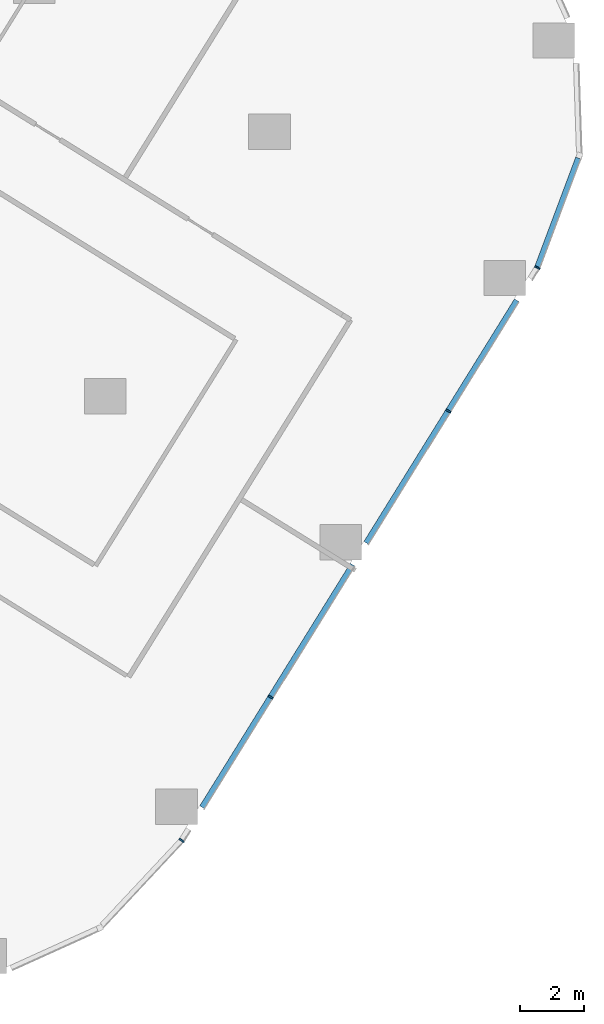
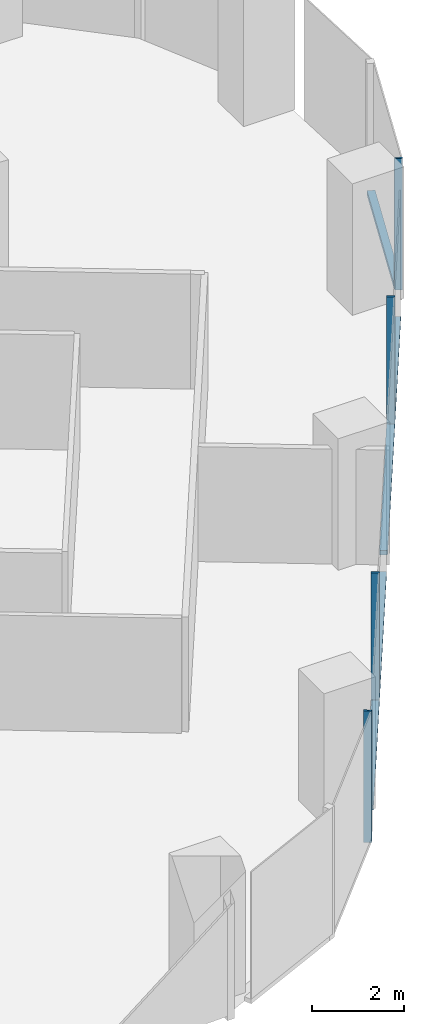
# One storey, part 9 of 34: 7 members, 3 elements without a shape of their own.
"""IFC4 building model written with IfcOpenShell, lengths in metres."""

from ifc_helpers import new_model, si_unit, direction, frame, origin, origin_2d, place, context, subcontext, project, spatial, rectangle, extrude, material, material_profile, profile_set, type_object, element, aggregate, save


model = new_model("IFC4")

# Units and contexts
model_context = context("Model", 3, precision=1e-05, world=origin(), true_north=direction((0.0, 1.0)))
body_context = subcontext(model_context, "Body", "Model", "MODEL_VIEW")
ifc_project = project(units=[si_unit("LENGTHUNIT", "METRE"), si_unit("AREAUNIT", "SQUARE_METRE"), si_unit("VOLUMEUNIT", "CUBIC_METRE"), si_unit("PLANEANGLEUNIT", "RADIAN"), si_unit("MASSUNIT", "GRAM", prefix="KILO")], contexts=[model_context])

# Site, building, storey
site_placement = place(None, origin())
site = spatial("IfcSite", under=ifc_project, at=site_placement, CompositionType="ELEMENT")
building_placement = place(site_placement, origin())
building = spatial("IfcBuilding", under=site, at=building_placement, Name="Orlundy Tower", CompositionType="ELEMENT")
storey_placement = place(building_placement, frame((0.0, 0.0, 44.300048828125)))
storey = spatial("IfcBuildingStorey", under=building, at=storey_placement, Name="L09", CompositionType="ELEMENT", Elevation=44.300048828125)

# Curtain wall, members
ifc_material_1 = material(Name="Aluminium bronze anodised", Category="aluminium")
curtain_wall_type = type_object("IfcCurtainWallType", Name="CW1 wall", PredefinedType="NOTDEFINED", material=ifc_material_1)
curtain_wall_1_placement = place(storey_placement, origin())
curtain_wall_1 = element("IfcCurtainWall", 1, at=curtain_wall_1_placement, inside=storey, type_object=curtain_wall_type, Name="CW1 run 011", PredefinedType="NOTDEFINED")
ifc_material_2 = material(Name="Aluminium bronze anodised", Category="aluminium")
ifc_material_profile_1 = material_profile(ifc_material_2, rectangle(XDim=0.179931640625, YDim=0.050048828125, at=origin_2d()), Name="CW1 mullion 50x180")
ifc_profile_set_1 = profile_set([ifc_material_profile_1], Name="Aluminium bronze anodised")
member_type_1 = type_object("IfcMemberType", Name="CW1 mullion 50x180", PredefinedType="MULLION", material=ifc_profile_set_1)
member_1_placement = place(storey_placement, frame((56.170166015625, -22.5029296875, -0.420166015625), z_axis=(0.0, 0.0, 1.0), x_axis=(0.897195117348, -0.441634375255, 0.0)))
member_1 = element("IfcMember", 2, at=member_1_placement, type_object=member_type_1, Name="CW1 mullion 36", PredefinedType="MULLION", context=body_context, shape_type="SweptSolid", body=[
    extrude(rectangle(XDim=0.179931640625, YDim=0.050048828125, at=origin_2d()), origin(), (0.0, 0.0, 1.0), 3.5),
])
member_2_placement = place(storey_placement, frame((53.396240234375, -26.970703125, -0.420166015625), z_axis=(0.0, 0.0, 1.0), x_axis=(0.849570263059, -0.527475466848, 0.0)))
member_2 = element("IfcMember", 3, at=member_2_placement, type_object=member_type_1, Name="CW1 mullion 37", PredefinedType="MULLION", context=body_context, shape_type="SweptSolid", body=[
    extrude(rectangle(XDim=0.179931640625, YDim=0.050048828125, at=origin_2d()), origin(), (0.0, 0.0, 1.0), 3.5),
])
member_3_placement = place(storey_placement, frame((47.857666015625, -35.89111328125, -0.420166015625), z_axis=(0.0, 0.0, 1.0), x_axis=(0.849570263059, -0.527475466848, 0.0)))
member_3 = element("IfcMember", 4, at=member_3_placement, type_object=member_type_1, Name="CW1 mullion 39", PredefinedType="MULLION", context=body_context, shape_type="SweptSolid", body=[
    extrude(rectangle(XDim=0.179931640625, YDim=0.050048828125, at=origin_2d()), origin(), (0.0, 0.0, 1.0), 3.5),
])

# Curtain wall, member
curtain_wall_2_placement = place(storey_placement, origin())
curtain_wall_2 = element("IfcCurtainWall", 5, at=curtain_wall_2_placement, inside=storey, type_object=curtain_wall_type, Name="CW1 run 012", PredefinedType="NOTDEFINED")
member_4_placement = place(storey_placement, frame((45.083740234375, -40.35888671875, -0.420166015625), z_axis=(0.0, 0.0, 1.0), x_axis=(0.793768151069, -0.608220455385, 0.0)))
member_4 = element("IfcMember", 6, at=member_4_placement, type_object=member_type_1, Name="CW1 mullion 40", PredefinedType="MULLION", context=body_context, shape_type="SweptSolid", body=[
    extrude(rectangle(XDim=0.179931640625, YDim=0.050048828125, at=origin_2d()), origin(), (0.0, 0.0, 1.0), 3.5),
])
aggregate(curtain_wall_2, [member_4])

curtain_wall_3_placement = place(storey_placement, origin())
curtain_wall_3 = element("IfcCurtainWall", 7, at=curtain_wall_3_placement, inside=storey, type_object=curtain_wall_type, Name="CW1 run 010", PredefinedType="NOTDEFINED")
ifc_material_3 = material(Name="Aluminium bronze anodised", Category="aluminium")
ifc_material_profile_2 = material_profile(ifc_material_3, rectangle(XDim=0.179931640625, YDim=0.1201171875, at=origin_2d()), Name="CW1 transom 180x120")
ifc_profile_set_2 = profile_set([ifc_material_profile_2], Name="Aluminium bronze anodised")
member_type_2 = type_object("IfcMemberType", Name="CW1 transom 180x120", PredefinedType="USERDEFINED", material=ifc_profile_set_2)
member_5_placement = place(storey_placement, frame((57.450927734375, -19.092041015625, -0.360107421875), z_axis=(-0.351530090139, -0.936176583624, 0.0), x_axis=(0.936176583624, -0.351530090139, 0.0)))
member_5 = element("IfcMember", 8, at=member_5_placement, type_object=member_type_2, Name="CW1 transom", ObjectType="TRANSOM", PredefinedType="USERDEFINED", context=body_context, shape_type="SweptSolid", body=[
    extrude(rectangle(XDim=0.179931640625, YDim=0.1201171875, at=origin_2d()), origin(), (0.0, 0.0, 1.0), 3.618408203125),
])
aggregate(curtain_wall_3, [member_5])

# Member
member_6_placement = place(storey_placement, frame((55.534912109375, -23.52587890625, -0.360107421875), z_axis=(-0.527463931619, -0.849577424865, 0.0), x_axis=(0.849577424865, -0.527463931619, 0.0)))
member_6 = element("IfcMember", 9, at=member_6_placement, type_object=member_type_2, Name="CW1 transom", ObjectType="TRANSOM", PredefinedType="USERDEFINED", context=body_context, shape_type="SweptSolid", body=[
    extrude(rectangle(XDim=0.179931640625, YDim=0.1201171875, at=origin_2d()), origin(), (0.0, 0.0, 1.0), 8.89892578125),
])

member_7_placement = place(storey_placement, frame((50.418212890625, -31.76708984375, -0.360107421875), z_axis=(-0.527459145576, -0.849580396283, 0.0), x_axis=(0.849580396283, -0.527459145576, 0.0)))
member_7 = element("IfcMember", 10, at=member_7_placement, type_object=member_type_2, Name="CW1 transom", ObjectType="TRANSOM", PredefinedType="USERDEFINED", context=body_context, shape_type="SweptSolid", body=[
    extrude(rectangle(XDim=0.179931640625, YDim=0.1201171875, at=origin_2d()), origin(), (0.0, 0.0, 1.0), 8.8994140625),
])

aggregate(curtain_wall_1, [member_1, member_2, member_3, member_6, member_7])

save(model, "model.ifc")
